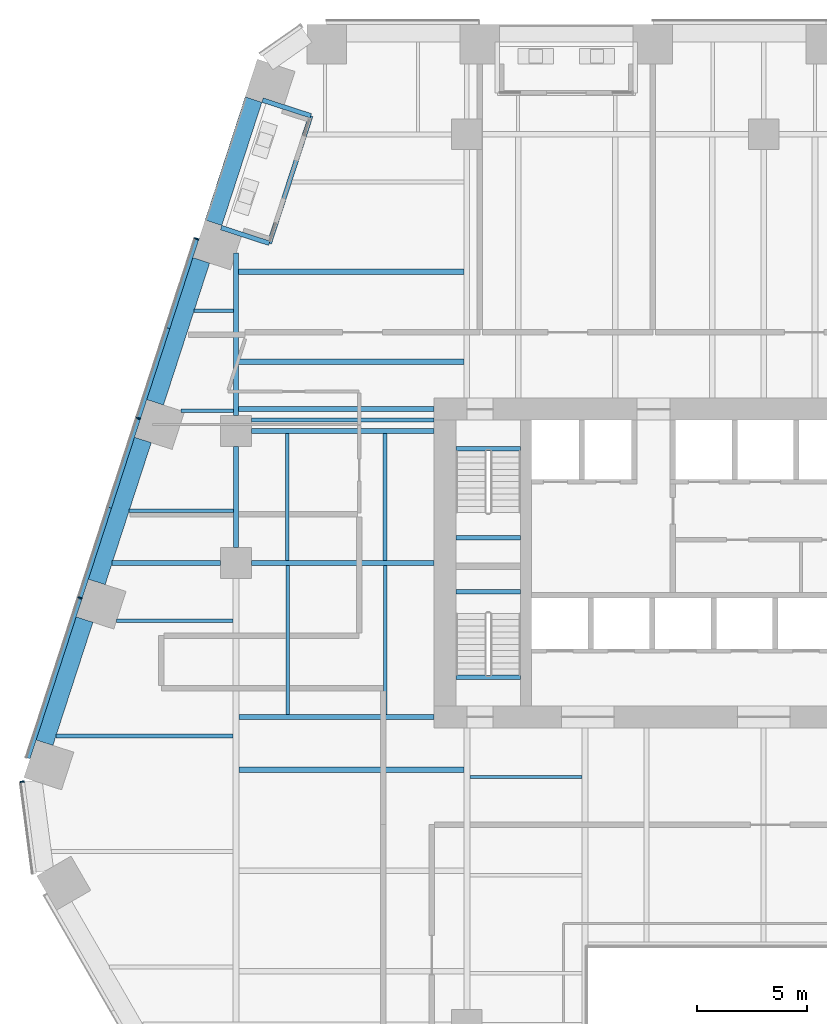
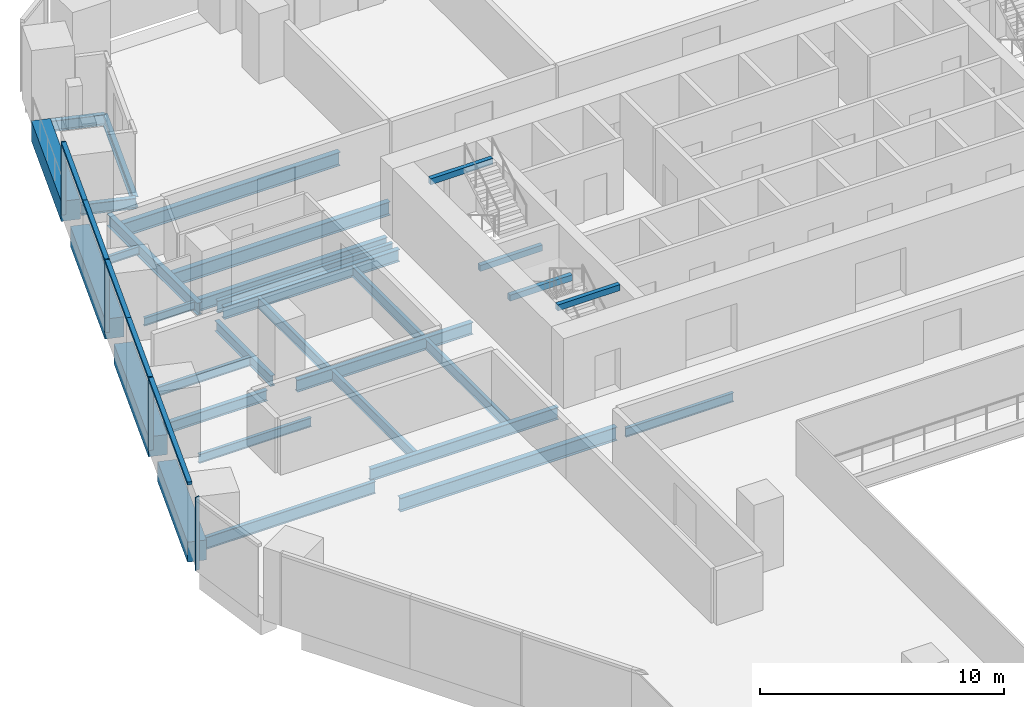
# One storey, part 8 of 28: 32 beams, 9 members, 2 elements without a shape of their own.
"""IFC4 building model written with IfcOpenShell, lengths in metres."""

from ifc_helpers import new_model, si_unit, direction, frame, origin, origin_2d, place, context, subcontext, project, spatial, rectangle, i_section, extrude, material, layer, layer_set, material_profile, profile_set, type_object, element, aggregate, save


model = new_model("IFC4")

# Units and contexts
model_context = context("Model", 3, precision=1e-05, world=origin(), true_north=direction((0.0, 1.0)))
body_context = subcontext(model_context, "Body", "Model", "MODEL_VIEW")
ifc_project = project(units=[si_unit("LENGTHUNIT", "METRE"), si_unit("AREAUNIT", "SQUARE_METRE"), si_unit("VOLUMEUNIT", "CUBIC_METRE"), si_unit("PLANEANGLEUNIT", "RADIAN"), si_unit("MASSUNIT", "GRAM", prefix="KILO")], contexts=[model_context])

# Site, building, storey
site_placement = place(None, origin())
site = spatial("IfcSite", under=ifc_project, at=site_placement, CompositionType="ELEMENT")
building_placement = place(site_placement, origin())
building = spatial("IfcBuilding", under=site, at=building_placement, Name="Isthmus Gate Tower", CompositionType="ELEMENT")
storey_placement = place(building_placement, frame((0.0, 0.0, 68.85009765625)))
storey = spatial("IfcBuildingStorey", under=building, at=storey_placement, Name="L15", CompositionType="ELEMENT", Elevation=68.85009765625)

# Curtain wall, members
ifc_material_1 = material(Name="Aluminium, pale champagne anodised", Category="aluminium")
ifc_layer = layer(ifc_material_1, 0.199951171875)
ifc_layer_set = layer_set([ifc_layer], Name="CW-1 UNITISED CURTAIN WALL 200 DEEP")
curtain_wall_type = type_object("IfcCurtainWallType", Name="CW-1 UNITISED CURTAIN WALL 200 DEEP", PredefinedType="NOTDEFINED", material=ifc_layer_set)
curtain_wall_1_placement = place(storey_placement, origin())
curtain_wall_1 = element("IfcCurtainWall", 1, at=curtain_wall_1_placement, inside=storey, type_object=curtain_wall_type, Name="CW-1 NW L15", PredefinedType="NOTDEFINED")
ifc_material_2 = material(Name="Aluminium, pale champagne anodised", Category="aluminium")
ifc_material_profile_1 = material_profile(ifc_material_2, rectangle(XDim=0.06005859375, YDim=0.199951171875, at=origin_2d()), Name="60x200")
ifc_profile_set_1 = profile_set([ifc_material_profile_1], Name="Aluminium, pale champagne anodised")
member_type_1 = type_object("IfcMemberType", Name="CW-1 MULLION 60 X 200", PredefinedType="MULLION", material=ifc_profile_set_1)
member_1_placement = place(storey_placement, frame((-25.787841796875, 22.248291015625, 0.0), z_axis=(0.0, 0.0, 1.0), x_axis=(-0.309016994375, -0.951056516295, 0.0)))
member_1 = element("IfcMember", 2, at=member_1_placement, type_object=member_type_1, Name="CW-1 mullion", PredefinedType="MULLION", context=body_context, shape_type="SweptSolid", body=[
    extrude(rectangle(XDim=0.06005859375, YDim=0.199951171875, at=origin_2d()), origin(), (0.0, 0.0, 1.0), 3.64990234375),
])
member_2_placement = place(storey_placement, frame((-28.44189453125, 14.079345703125, 0.0), z_axis=(0.0, 0.0, 1.0), x_axis=(-0.309016994375, -0.951056516295, 0.0)))
member_2 = element("IfcMember", 3, at=member_2_placement, type_object=member_type_1, Name="CW-1 mullion", PredefinedType="MULLION", context=body_context, shape_type="SweptSolid", body=[
    extrude(rectangle(XDim=0.06005859375, YDim=0.199951171875, at=origin_2d()), origin(), (0.0, 0.0, 1.0), 3.64990234375),
])
member_3_placement = place(storey_placement, frame((-31.09619140625, 5.910400390625, 0.0), z_axis=(0.0, 0.0, 1.0), x_axis=(-0.309016994375, -0.951056516295, 0.0)))
member_3 = element("IfcMember", 4, at=member_3_placement, type_object=member_type_1, Name="CW-1 mullion", PredefinedType="MULLION", context=body_context, shape_type="SweptSolid", body=[
    extrude(rectangle(XDim=0.06005859375, YDim=0.199951171875, at=origin_2d()), origin(), (0.0, 0.0, 1.0), 3.64990234375),
])

# Curtain wall, member
curtain_wall_2_placement = place(storey_placement, origin())
curtain_wall_2 = element("IfcCurtainWall", 5, at=curtain_wall_2_placement, inside=storey, type_object=curtain_wall_type, Name="CW-1 NW-SW L15", PredefinedType="NOTDEFINED")
member_4_placement = place(storey_placement, frame((-33.722900390625, -2.44482421875, 0.0), z_axis=(0.0, 0.0, 1.0), x_axis=(0.129164534, -0.991623175988, 0.0)))
member_4 = element("IfcMember", 6, at=member_4_placement, type_object=member_type_1, Name="CW-1 mullion", PredefinedType="MULLION", context=body_context, shape_type="SweptSolid", body=[
    extrude(rectangle(XDim=0.06005859375, YDim=0.199951171875, at=origin_2d()), origin(), (0.0, 0.0, 1.0), 3.64990234375),
])
aggregate(curtain_wall_2, [member_4])

# Member
ifc_material_3 = material(Name="Aluminium, pale champagne anodised", Category="aluminium")
ifc_material_profile_2 = material_profile(ifc_material_3, rectangle(XDim=0.199951171875, YDim=0.14990234375, at=origin_2d()), Name="200x150")
ifc_profile_set_2 = profile_set([ifc_material_profile_2], Name="Aluminium, pale champagne anodised")
member_type_2 = type_object("IfcMemberType", Name="CW-1 TRANSOM 200 X 150", PredefinedType="USERDEFINED", material=ifc_profile_set_2)
member_5_placement = place(storey_placement, frame((-25.797119140625, 22.2197265625, 3.574951171875), z_axis=(-0.309023496777, -0.951054403512, 0.0), x_axis=(0.951054403512, -0.309023496777, 0.0)))
member_5 = element("IfcMember", 7, at=member_5_placement, type_object=member_type_2, Name="CW-1 transom", ObjectType="TRANSOM", PredefinedType="USERDEFINED", context=body_context, shape_type="SweptSolid", body=[
    extrude(rectangle(XDim=0.199951171875, YDim=0.14990234375, at=origin_2d()), origin(), (0.0, 0.0, 1.0), 4.234619140625),
])

member_6_placement = place(storey_placement, frame((-27.105712890625, 18.1923828125, 3.574951171875), z_axis=(-0.308970381077, -0.951071660611, 0.0), x_axis=(0.951071660611, -0.308970381077, 0.0)))
member_6 = element("IfcMember", 8, at=member_6_placement, type_object=member_type_2, Name="CW-1 transom", ObjectType="TRANSOM", PredefinedType="USERDEFINED", context=body_context, shape_type="SweptSolid", body=[
    extrude(rectangle(XDim=0.199951171875, YDim=0.14990234375, at=origin_2d()), origin(), (0.0, 0.0, 1.0), 4.294677734375),
])

member_7_placement = place(storey_placement, frame((-28.451171875, 14.05078125, 3.574951171875), z_axis=(-0.309023496777, -0.951054403512, 0.0), x_axis=(0.951054403512, -0.309023496777, 0.0)))
member_7 = element("IfcMember", 9, at=member_7_placement, type_object=member_type_2, Name="CW-1 transom", ObjectType="TRANSOM", PredefinedType="USERDEFINED", context=body_context, shape_type="SweptSolid", body=[
    extrude(rectangle(XDim=0.199951171875, YDim=0.14990234375, at=origin_2d()), origin(), (0.0, 0.0, 1.0), 4.234619140625),
])

member_8_placement = place(storey_placement, frame((-29.759765625, 10.0234375, 3.574951171875), z_axis=(-0.309021801109, -0.951054954479, 0.0), x_axis=(0.951054954479, -0.309021801109, 0.0)))
member_8 = element("IfcMember", 10, at=member_8_placement, type_object=member_type_2, Name="CW-1 transom", ObjectType="TRANSOM", PredefinedType="USERDEFINED", context=body_context, shape_type="SweptSolid", body=[
    extrude(rectangle(XDim=0.199951171875, YDim=0.14990234375, at=origin_2d()), origin(), (0.0, 0.0, 1.0), 4.294677734375),
])

member_9_placement = place(storey_placement, frame((-31.10546875, 5.8818359375, 3.574951171875), z_axis=(-0.30902818517, -0.951052880113, 0.0), x_axis=(0.951052880113, -0.30902818517, 0.0)))
member_9 = element("IfcMember", 11, at=member_9_placement, type_object=member_type_2, Name="CW-1 transom", ObjectType="TRANSOM", PredefinedType="USERDEFINED", context=body_context, shape_type="SweptSolid", body=[
    extrude(rectangle(XDim=0.199951171875, YDim=0.14990234375, at=origin_2d()), origin(), (0.0, 0.0, 1.0), 7.62939453125),
])

aggregate(curtain_wall_1, [member_1, member_5, member_6, member_2, member_7, member_8, member_3, member_9])

# Beams
ifc_material_4 = material(Name="Concrete f'c 70 MPa", Category="concrete")
ifc_material_profile_3 = material_profile(ifc_material_4, rectangle(XDim=0.800048828125, YDim=1.0, at=origin_2d()), Name="RC 800X1000")
ifc_profile_set_3 = profile_set([ifc_material_profile_3], Name="Concrete f'c 70 MPa")
beam_type_1 = type_object("IfcBeamType", Name="RC SPANDREL 800 X 1000", PredefinedType="SPANDREL", material=ifc_profile_set_3)
beam_1_placement = place(storey_placement, frame((-32.70947265625, -0.672607421875, -0.5), z_axis=(0.309005457803, 0.951060264677, 0.0), x_axis=(-0.951060264677, 0.309005457803, 0.0)))
element("IfcBeam", 12, at=beam_1_placement, inside=storey, type_object=beam_type_1, Name="str-spandrel-L15-18", PredefinedType="SPANDREL", context=body_context, shape_type="SweptSolid", body=[
    extrude(rectangle(XDim=0.800048828125, YDim=1.0, at=origin_2d()), origin(), (0.0, 0.0, 1.0), 5.889404296875),
])
for number, where, z_axis, x_axis, name in (
    (13, (-30.333251953125, 6.640380859375, -0.5), (0.30900150794, 0.951061548004, 0.0), (-0.951061548004, 0.30900150794, 0.0), "str-spandrel-L15-19"),
    (14, (-27.67919921875, 14.809326171875, -0.5), (0.309034033576, 0.951050979754, 0.0), (-0.951050979754, 0.309034033576, 0.0), "str-spandrel-L15-20"),
):
    element("IfcBeam", number, at=place(storey_placement, frame(where, z_axis=z_axis, x_axis=x_axis)), inside=storey, type_object=beam_type_1, Name=name, PredefinedType="SPANDREL", context=body_context, shape_type="SweptSolid", body=[
        extrude(rectangle(XDim=0.800048828125, YDim=1.0, at=origin_2d()), origin(), (0.0, 0.0, 1.0), 6.789306640625),
    ])
beam_2_placement = place(storey_placement, frame((-25.02490234375, 22.978271484375, -0.5), z_axis=(0.309042953764, 0.951048081187, 0.0), x_axis=(-0.951048081187, 0.309042953764, 0.0)))
element("IfcBeam", 15, at=beam_2_placement, inside=storey, type_object=beam_type_1, Name="str-spandrel-L15-21", PredefinedType="SPANDREL", context=body_context, shape_type="SweptSolid", body=[
    extrude(rectangle(XDim=0.800048828125, YDim=1.0, at=origin_2d()), origin(), (0.0, 0.0, 1.0), 5.889404296875),
])
ifc_material_5 = material(Name="Concrete f'c 40 MPa", Category="concrete")
ifc_material_profile_4 = material_profile(ifc_material_5, rectangle(XDim=0.199951171875, YDim=0.300048828125, at=origin_2d()), Name="STAIR LANDING BEAM RC 200 X 300")
ifc_profile_set_4 = profile_set([ifc_material_profile_4], Name="Concrete f'c 40 MPa")
beam_type_2 = type_object("IfcBeamType", Name="STAIR LANDING BEAM RC 200 X 300", PredefinedType="BEAM", material=ifc_profile_set_4)
for number, where, z_axis, x_axis, name in (
    (16, (-14.0, 8.64990234375, 1.474853515625), (1.0, 0.0, 0.0), (0.0, 1.0, 0.0), "L15 ST1 landing beam 1"),
    (17, (-14.0, 12.7001953125, 3.349853515625), (1.0, 0.0, 0.0), (0.0, 1.0, 0.0), "L15 ST1 floor-edge seat beam"),
    (18, (-14.0, 6.199951171875, 1.474853515625), (1.0, 0.0, 0.0), (0.0, 1.0, 0.0), "L15 ST7 landing beam 1"),
    (19, (-14.0, 2.2998046875, 3.349853515625), (1.0, 0.0, 0.0), (0.0, 1.0, 0.0), "L15 ST7 floor-edge seat beam"),
):
    element("IfcBeam", number, at=place(storey_placement, frame(where, z_axis=z_axis, x_axis=x_axis)), inside=storey, type_object=beam_type_2, Name=name, PredefinedType="BEAM", context=body_context, shape_type="SweptSolid", body=[
        extrude(rectangle(XDim=0.199951171875, YDim=0.300048828125, at=origin_2d()), origin(), (0.0, 0.0, 1.0), 2.949951171875),
    ])
ifc_material_6 = material(Name="Structural steel ASTM A992 Gr 50", Category="steel")
ifc_material_profile_5 = material_profile(ifc_material_6, i_section(OverallWidth=0.1396484375, OverallDepth=0.4033203125, WebThickness=0.00634765625, FlangeThickness=0.010986328125, at=origin_2d()), Name="W16X31")
ifc_profile_set_5 = profile_set([ifc_material_profile_5], Name="Structural steel ASTM A992 Gr 50")
beam_type_3 = type_object("IfcBeamType", Name="STEEL FLOOR BEAM W16X31", PredefinedType="JOIST", material=ifc_profile_set_5)
beam_3_placement = place(storey_placement, frame((-26.503662109375, 14.427490234375, -0.351806640625), z_axis=(1.0, 0.0, 0.0), x_axis=(0.0, 1.0, 0.0)))
element("IfcBeam", 20, at=beam_3_placement, inside=storey, type_object=beam_type_3, Name="str-beam-L15-01-01", PredefinedType="JOIST", context=body_context, shape_type="SweptSolid", body=[
    extrude(i_section(OverallWidth=0.1396484375, OverallDepth=0.4033203125, WebThickness=0.00634765625, FlangeThickness=0.010986328125, at=origin_2d()), origin(), (0.0, 0.0, 1.0), 2.389404296875),
])
beam_4_placement = place(storey_placement, frame((-25.90478515625, 18.975830078125, -0.351806640625), z_axis=(1.0, 0.0, 0.0), x_axis=(0.0, 1.0, 0.0)))
element("IfcBeam", 21, at=beam_4_placement, inside=storey, type_object=beam_type_3, Name="str-beam-L15-01-02", PredefinedType="JOIST", context=body_context, shape_type="SweptSolid", body=[
    extrude(i_section(OverallWidth=0.1396484375, OverallDepth=0.4033203125, WebThickness=0.00634765625, FlangeThickness=0.010986328125, at=origin_2d()), origin(), (0.0, 0.0, 1.0), 1.79052734375),
])
ifc_material_7 = material(Name="Structural steel ASTM A992 Gr 50", Category="steel")
ifc_material_profile_6 = material_profile(ifc_material_7, i_section(OverallWidth=0.15234375, OverallDepth=0.45068359375, WebThickness=0.0078125, FlangeThickness=0.010986328125, at=origin_2d()), Name="W18X35")
ifc_profile_set_6 = profile_set([ifc_material_profile_6], Name="Structural steel ASTM A992 Gr 50")
beam_type_4 = type_object("IfcBeamType", Name="STEEL FLOOR BEAM W18X35", PredefinedType="JOIST", material=ifc_profile_set_6)
beam_5_placement = place(storey_placement, frame((-29.434814453125, 4.875, -0.37548828125), z_axis=(1.0, 0.0, 0.0), x_axis=(0.0, 1.0, 0.0)))
element("IfcBeam", 22, at=beam_5_placement, inside=storey, type_object=beam_type_4, Name="str-beam-L15-00-03", PredefinedType="JOIST", context=body_context, shape_type="SweptSolid", body=[
    extrude(i_section(OverallWidth=0.15234375, OverallDepth=0.45068359375, WebThickness=0.0078125, FlangeThickness=0.010986328125, at=origin_2d()), origin(), (0.0, 0.0, 1.0), 5.301513671875),
])
beam_6_placement = place(storey_placement, frame((-28.860595703125, 9.87890625, -0.37548828125), z_axis=(1.0, 0.0, 0.0), x_axis=(0.0, 1.0, 0.0)))
element("IfcBeam", 23, at=beam_6_placement, inside=storey, type_object=beam_type_4, Name="str-beam-L15-01-00", PredefinedType="JOIST", context=body_context, shape_type="SweptSolid", body=[
    extrude(i_section(OverallWidth=0.15234375, OverallDepth=0.45068359375, WebThickness=0.0078125, FlangeThickness=0.010986328125, at=origin_2d()), origin(), (0.0, 0.0, 1.0), 4.755859375),
])
beam_7_placement = place(storey_placement, frame((-13.3681640625, -2.232421875, -0.37548828125), z_axis=(1.0, 0.0, 0.0), x_axis=(0.0, 1.0, 0.0)))
element("IfcBeam", 24, at=beam_7_placement, inside=storey, type_object=beam_type_4, Name="str-beam-L15-13-02", PredefinedType="JOIST", context=body_context, shape_type="SweptSolid", body=[
    extrude(i_section(OverallWidth=0.15234375, OverallDepth=0.45068359375, WebThickness=0.0078125, FlangeThickness=0.010986328125, at=origin_2d()), origin(), (0.0, 0.0, 1.0), 5.1015625),
])
ifc_material_8 = material(Name="Structural steel ASTM A992 Gr 50", Category="steel")
ifc_material_profile_7 = material_profile(ifc_material_8, i_section(OverallWidth=0.1650390625, OverallDepth=0.52392578125, WebThickness=0.009521484375, FlangeThickness=0.010986328125, at=origin_2d()), Name="W21X44")
ifc_profile_set_7 = profile_set([ifc_material_profile_7], Name="Structural steel ASTM A992 Gr 50")
beam_type_5 = type_object("IfcBeamType", Name="STEEL FLOOR BEAM W21X44", PredefinedType="JOIST", material=ifc_profile_set_7)
for number, where, z_axis, x_axis, name in (
    (25, (-21.64990234375, 0.6142578125, -0.412109375), (0.0, 1.0, 0.0), (-1.0, 0.0, 0.0), "str-beam-L15-03-00"),
    (26, (-17.216552734375, 0.6142578125, -0.412109375), (0.0, 1.0, 0.0), (-1.0, 0.0, 0.0), "str-beam-L15-03-01"),
):
    element("IfcBeam", number, at=place(storey_placement, frame(where, z_axis=z_axis, x_axis=x_axis)), inside=storey, type_object=beam_type_5, Name=name, PredefinedType="JOIST", context=body_context, shape_type="SweptSolid", body=[
        extrude(i_section(OverallWidth=0.1650390625, OverallDepth=0.52392578125, WebThickness=0.009521484375, FlangeThickness=0.010986328125, at=origin_2d()), origin(), (0.0, 0.0, 1.0), 6.771484375),
    ])
for number, where, z_axis, x_axis, name in (
    (27, (-21.67138671875, 7.6142578125, -0.412109375), (0.0, 1.0, 0.0), (-1.0, 0.0, 0.0), "str-beam-L15-04-00"),
    (28, (-17.223876953125, 7.6142578125, -0.412109375), (0.0, 1.0, 0.0), (-1.0, 0.0, 0.0), "str-beam-L15-04-01"),
):
    element("IfcBeam", number, at=place(storey_placement, frame(where, z_axis=z_axis, x_axis=x_axis)), inside=storey, type_object=beam_type_5, Name=name, PredefinedType="JOIST", context=body_context, shape_type="SweptSolid", body=[
        extrude(i_section(OverallWidth=0.1650390625, OverallDepth=0.52392578125, WebThickness=0.009521484375, FlangeThickness=0.010986328125, at=origin_2d()), origin(), (0.0, 0.0, 1.0), 5.771484375),
    ])
ifc_material_9 = material(Name="Structural steel ASTM A992 Gr 50", Category="steel")
ifc_material_profile_8 = material_profile(ifc_material_9, i_section(OverallWidth=0.177734375, OverallDepth=0.60009765625, WebThickness=0.009521484375, FlangeThickness=0.0126953125, at=origin_2d()), Name="W24X55")
ifc_profile_set_8 = profile_set([ifc_material_profile_8], Name="Structural steel ASTM A992 Gr 50")
beam_type_6 = type_object("IfcBeamType", Name="STEEL FLOOR BEAM W24X55", PredefinedType="JOIST", material=ifc_profile_set_8)
beam_8_placement = place(storey_placement, frame((-32.192138671875, -0.375, -0.4501953125), z_axis=(1.0, 0.0, 0.0), x_axis=(0.0, 1.0, 0.0)))
element("IfcBeam", 29, at=beam_8_placement, inside=storey, type_object=beam_type_6, Name="str-beam-L15-00-02", PredefinedType="JOIST", context=body_context, shape_type="SweptSolid", body=[
    extrude(i_section(OverallWidth=0.177734375, OverallDepth=0.60009765625, WebThickness=0.009521484375, FlangeThickness=0.0126953125, at=origin_2d()), origin(), (0.0, 0.0, 1.0), 8.058837890625),
])
beam_9_placement = place(storey_placement, frame((-23.300048828125, 14.0, -0.4501953125), z_axis=(1.0, 0.0, 0.0), x_axis=(0.0, 1.0, 0.0)))
element("IfcBeam", 30, at=beam_9_placement, inside=storey, type_object=beam_type_6, Name="str-beam-L15-06-00", PredefinedType="JOIST", context=body_context, shape_type="SweptSolid", body=[
    extrude(i_section(OverallWidth=0.177734375, OverallDepth=0.60009765625, WebThickness=0.009521484375, FlangeThickness=0.0126953125, at=origin_2d()), origin(), (0.0, 0.0, 1.0), 8.300048828125),
])
ifc_material_10 = material(Name="Structural steel ASTM A992 Gr 50", Category="steel")
ifc_material_profile_9 = material_profile(ifc_material_10, i_section(OverallWidth=0.25390625, OverallDepth=0.679443359375, WebThickness=0.010986328125, FlangeThickness=0.015869140625, at=origin_2d()), Name="W27X84")
ifc_profile_set_9 = profile_set([ifc_material_profile_9], Name="Structural steel ASTM A992 Gr 50")
beam_type_7 = type_object("IfcBeamType", Name="STEEL FLOOR BEAM W27X84", PredefinedType="JOIST", material=ifc_profile_set_9)
beam_10_placement = place(storey_placement, frame((-23.86669921875, -1.90625, -0.48974609375), z_axis=(1.0, 0.0, 0.0), x_axis=(0.0, 1.0, 0.0)))
element("IfcBeam", 31, at=beam_10_placement, inside=storey, type_object=beam_type_7, Name="str-beam-L15-07-02", PredefinedType="JOIST", context=body_context, shape_type="SweptSolid", body=[
    extrude(i_section(OverallWidth=0.25390625, OverallDepth=0.679443359375, WebThickness=0.010986328125, FlangeThickness=0.015869140625, at=origin_2d()), origin(), (0.0, 0.0, 1.0), 10.23486328125),
])
for number, where, z_axis, x_axis, name in (
    (32, (-23.8857421875, 16.659423828125, -0.48974609375), (1.0, 0.0, 0.0), (0.0, 1.0, 0.0), "str-beam-L15-09-00"),
    (33, (-23.8857421875, 20.75, -0.48974609375), (1.0, 0.0, 0.0), (0.0, 1.0, 0.0), "str-beam-L15-09-01"),
):
    element("IfcBeam", number, at=place(storey_placement, frame(where, z_axis=z_axis, x_axis=x_axis)), inside=storey, type_object=beam_type_7, Name=name, PredefinedType="JOIST", context=body_context, shape_type="SweptSolid", body=[
        extrude(i_section(OverallWidth=0.25390625, OverallDepth=0.679443359375, WebThickness=0.010986328125, FlangeThickness=0.015869140625, at=origin_2d()), origin(), (0.0, 0.0, 1.0), 10.2587890625),
    ])
ifc_material_11 = material(Name="Structural steel ASTM A992 Gr 50", Category="steel")
ifc_material_profile_10 = material_profile(ifc_material_11, i_section(OverallWidth=0.20947265625, OverallDepth=0.533447265625, WebThickness=0.009521484375, FlangeThickness=0.015869140625, at=origin_2d()), Name="W21X62")
ifc_profile_set_10 = profile_set([ifc_material_profile_10], Name="Structural steel ASTM A992 Gr 50")
beam_type_8 = type_object("IfcBeamType", Name="STEEL GIRDER W21X62", PredefinedType="BEAM", material=ifc_profile_set_10)
beam_11_placement = place(storey_placement, frame((-29.633544921875, 7.5, -0.416748046875), z_axis=(1.0, 0.0, 0.0), x_axis=(0.0, 1.0, 0.0)))
element("IfcBeam", 34, at=beam_11_placement, inside=storey, type_object=beam_type_8, Name="str-girder-L15-09", PredefinedType="BEAM", context=body_context, shape_type="SweptSolid", body=[
    extrude(i_section(OverallWidth=0.20947265625, OverallDepth=0.533447265625, WebThickness=0.009521484375, FlangeThickness=0.015869140625, at=origin_2d()), origin(), (0.0, 0.0, 1.0), 4.93359375),
])
beam_12_placement = place(storey_placement, frame((-24.0, 8.199951171875, -0.416748046875), z_axis=(0.0, 1.0, 0.0), x_axis=(-1.0, 0.0, 0.0)))
element("IfcBeam", 35, at=beam_12_placement, inside=storey, type_object=beam_type_8, Name="str-girder-L15-21", PredefinedType="BEAM", context=body_context, shape_type="SweptSolid", body=[
    extrude(i_section(OverallWidth=0.20947265625, OverallDepth=0.533447265625, WebThickness=0.009521484375, FlangeThickness=0.015869140625, at=origin_2d()), origin(), (0.0, 0.0, 1.0), 4.60009765625),
])
ifc_material_12 = material(Name="Structural steel ASTM A992 Gr 50", Category="steel")
ifc_material_profile_11 = material_profile(ifc_material_12, i_section(OverallWidth=0.228515625, OverallDepth=0.603271484375, WebThickness=0.010986328125, FlangeThickness=0.014404296875, at=origin_2d()), Name="W24X68")
ifc_profile_set_11 = profile_set([ifc_material_profile_11], Name="Structural steel ASTM A992 Gr 50")
beam_type_9 = type_object("IfcBeamType", Name="STEEL GIRDER W24X68", PredefinedType="BEAM", material=ifc_profile_set_11)
beam_13_placement = place(storey_placement, frame((-24.0, 14.199951171875, -0.45166015625), z_axis=(0.0, 1.0, 0.0), x_axis=(-1.0, 0.0, 0.0)))
element("IfcBeam", 36, at=beam_13_placement, inside=storey, type_object=beam_type_9, Name="str-girder-L15-22", PredefinedType="BEAM", context=body_context, shape_type="SweptSolid", body=[
    extrude(i_section(OverallWidth=0.228515625, OverallDepth=0.603271484375, WebThickness=0.010986328125, FlangeThickness=0.014404296875, at=origin_2d()), origin(), (0.0, 0.0, 1.0), 7.402099609375),
])
ifc_material_13 = material(Name="Structural steel ASTM A992 Gr 50", Category="steel")
ifc_material_profile_12 = material_profile(ifc_material_13, i_section(OverallWidth=0.228515625, OverallDepth=0.6064453125, WebThickness=0.010986328125, FlangeThickness=0.017578125, at=origin_2d()), Name="W24X76")
ifc_profile_set_12 = profile_set([ifc_material_profile_12], Name="Structural steel ASTM A992 Gr 50")
beam_type_10 = type_object("IfcBeamType", Name="STEEL GIRDER W24X76", PredefinedType="BEAM", material=ifc_profile_set_12)
for number, where, z_axis, x_axis, name in (
    (37, (-23.300048828125, 7.5, -0.453369140625), (1.0, 0.0, 0.0), (0.0, 1.0, 0.0), "str-girder-L15-10"),
    (38, (-23.300048828125, 13.5, -0.453369140625), (1.0, 0.0, 0.0), (0.0, 1.0, 0.0), "str-girder-L15-13"),
):
    element("IfcBeam", number, at=place(storey_placement, frame(where, z_axis=z_axis, x_axis=x_axis)), inside=storey, type_object=beam_type_10, Name=name, PredefinedType="BEAM", context=body_context, shape_type="SweptSolid", body=[
        extrude(i_section(OverallWidth=0.228515625, OverallDepth=0.6064453125, WebThickness=0.010986328125, FlangeThickness=0.017578125, at=origin_2d()), origin(), (0.0, 0.0, 1.0), 8.300048828125),
    ])
beam_14_placement = place(storey_placement, frame((-15.0, 0.5, -0.453369140625), z_axis=(-1.0, 0.0, 0.0), x_axis=(0.0, -1.0, 0.0)))
element("IfcBeam", 39, at=beam_14_placement, inside=storey, type_object=beam_type_10, Name="str-girder-L15-38", PredefinedType="BEAM", context=body_context, shape_type="SweptSolid", body=[
    extrude(i_section(OverallWidth=0.228515625, OverallDepth=0.6064453125, WebThickness=0.010986328125, FlangeThickness=0.017578125, at=origin_2d()), origin(), (0.0, 0.0, 1.0), 8.86669921875),
])
beam_15_placement = place(storey_placement, frame((-15.0, 14.5, -0.453369140625), z_axis=(-1.0, 0.0, 0.0), x_axis=(0.0, -1.0, 0.0)))
element("IfcBeam", 40, at=beam_15_placement, inside=storey, type_object=beam_type_10, Name="str-girder-L15-40", PredefinedType="BEAM", context=body_context, shape_type="SweptSolid", body=[
    extrude(i_section(OverallWidth=0.228515625, OverallDepth=0.6064453125, WebThickness=0.010986328125, FlangeThickness=0.017578125, at=origin_2d()), origin(), (0.0, 0.0, 1.0), 8.8857421875),
])
ifc_material_14 = material(Name="Structural steel ASTM A992 Gr 50", Category="steel")
ifc_material_profile_13 = material_profile(ifc_material_14, i_section(OverallWidth=0.20947265625, OverallDepth=0.533447265625, WebThickness=0.009521484375, FlangeThickness=0.015869140625, at=origin_2d()), Name="W21X62")
ifc_profile_set_13 = profile_set([ifc_material_profile_13], Name="Structural steel ASTM A992 Gr 50")
beam_type_11 = type_object("IfcBeamType", Name="STEEL TRIMMER W21X62", PredefinedType="BEAM", material=ifc_profile_set_13)
beam_16_placement = place(storey_placement, frame((-20.60009765625, 27.84326171875, -0.416748046875), z_axis=(-0.309037193261, -0.951049953042, 0.0), x_axis=(0.951049953042, -0.309037193261, 0.0)))
element("IfcBeam", 41, at=beam_16_placement, inside=storey, type_object=beam_type_11, Name="str-loggiatrim-L15-02-B", PredefinedType="BEAM", context=body_context, shape_type="SweptSolid", body=[
    extrude(i_section(OverallWidth=0.20947265625, OverallDepth=0.533447265625, WebThickness=0.009521484375, FlangeThickness=0.015869140625, at=origin_2d()), origin(), (0.0, 0.0, 1.0), 6.098876953125),
])
beam_17_placement = place(storey_placement, frame((-22.792236328125, 28.555419921875, -0.416748046875), z_axis=(0.951070646658, -0.308973502205, 0.0), x_axis=(0.308973502205, 0.951070646658, 0.0)))
element("IfcBeam", 42, at=beam_17_placement, inside=storey, type_object=beam_type_11, Name="str-loggiatrim-L15-02-A", PredefinedType="BEAM", context=body_context, shape_type="SweptSolid", body=[
    extrude(i_section(OverallWidth=0.20947265625, OverallDepth=0.533447265625, WebThickness=0.009521484375, FlangeThickness=0.015869140625, at=origin_2d()), origin(), (0.0, 0.0, 1.0), 2.304931640625),
])
beam_18_placement = place(storey_placement, frame((-24.6767578125, 22.755126953125, -0.416748046875), z_axis=(0.951060533358, -0.309004630854, 0.0), x_axis=(0.309004630854, 0.951060533358, 0.0)))
element("IfcBeam", 43, at=beam_18_placement, inside=storey, type_object=beam_type_11, Name="str-loggiatrim-L15-02-C", PredefinedType="BEAM", context=body_context, shape_type="SweptSolid", body=[
    extrude(i_section(OverallWidth=0.20947265625, OverallDepth=0.533447265625, WebThickness=0.009521484375, FlangeThickness=0.015869140625, at=origin_2d()), origin(), (0.0, 0.0, 1.0), 2.3046875),
])

save(model, "model.ifc")
